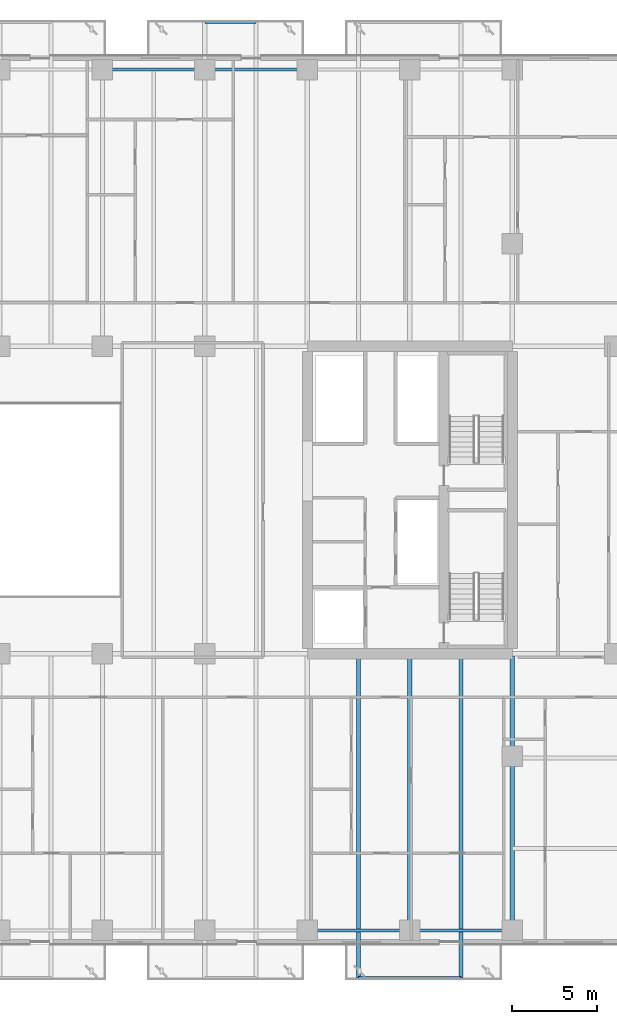
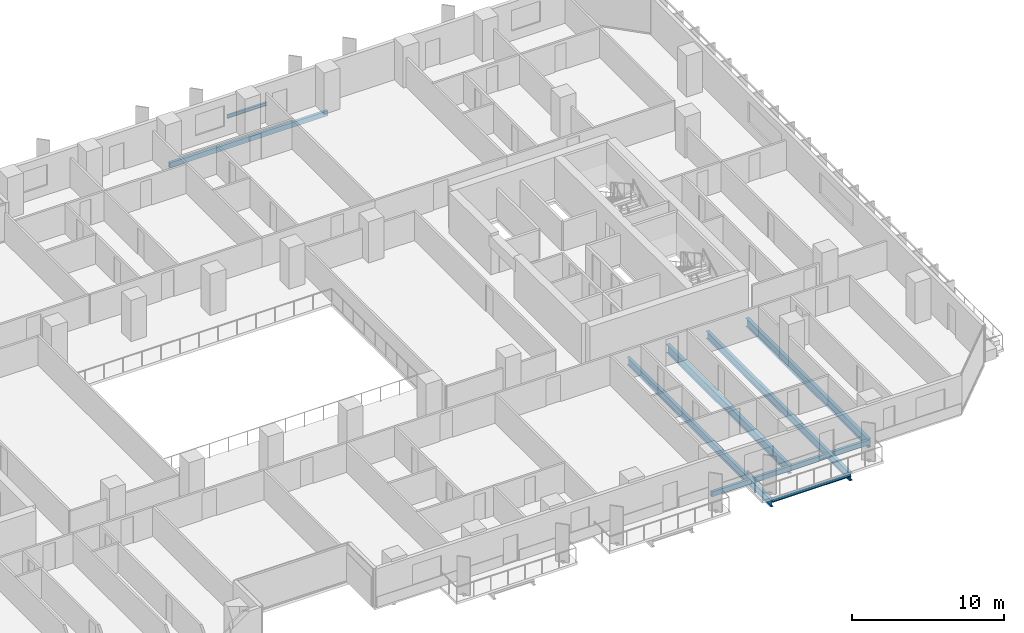
# One storey, part 12 of 33: 10 beams.
"""IFC4 building model written with IfcOpenShell, lengths in metres."""

from ifc_helpers import new_model, si_unit, direction, frame, origin, origin_2d, place, context, subcontext, project, spatial, hollow_rectangle, i_section, extrude, material, material_profile, profile_set, type_object, element, save


model = new_model("IFC4")

# Units and contexts
model_context = context("Model", 3, precision=1e-05, world=origin(), true_north=direction((0.0, 1.0)))
body_context = subcontext(model_context, "Body", "Model", "MODEL_VIEW")
ifc_project = project(units=[si_unit("LENGTHUNIT", "METRE"), si_unit("AREAUNIT", "SQUARE_METRE"), si_unit("VOLUMEUNIT", "CUBIC_METRE"), si_unit("PLANEANGLEUNIT", "RADIAN"), si_unit("MASSUNIT", "GRAM", prefix="KILO")], contexts=[model_context])

# Site, building, storey
site_placement = place(None, origin())
site = spatial("IfcSite", under=ifc_project, at=site_placement, CompositionType="ELEMENT")
building_placement = place(site_placement, origin())
building = spatial("IfcBuilding", under=site, at=building_placement, Name="Tanjung Sevakor Pilgrim Tower", CompositionType="ELEMENT")
storey_placement = place(building_placement, frame((0.0, 0.0, 35.639892578125)))
storey = spatial("IfcBuildingStorey", under=building, at=storey_placement, Name="L09", CompositionType="ELEMENT", Elevation=35.639892578125)

# Beams
ifc_material_1 = material(Name="Steel S355J2", Category="steel")
ifc_material_profile_1 = material_profile(ifc_material_1, i_section(OverallWidth=0.25439453125, OverallDepth=0.6875, WebThickness=0.01318359375, FlangeThickness=0.02099609375, FilletRadius=0.01513671875, at=origin_2d()))
ifc_profile_set_1 = profile_set([ifc_material_profile_1], Name="Steel S355J2")
beam_type_1 = type_object("IfcBeamType", Name="BM-B-G2-UB_686x254x152", PredefinedType="BEAM", material=ifc_profile_set_1)
for number, where, z_axis, x_axis, name in (
    (1, (84.0, 8.39990234375, -0.5634765625), (0.0, 1.0, 0.0), (-1.0, 0.0, 0.0), "L09 MAIN Girder 026"),
    (2, (90.0, 8.39990234375, -0.5634765625), (0.0, 1.0, 0.0), (-1.0, 0.0, 0.0), "L09 MAIN Girder 028"),
):
    element("IfcBeam", number, at=place(storey_placement, frame(where, z_axis=z_axis, x_axis=x_axis)), inside=storey, type_object=beam_type_1, Name=name, PredefinedType="BEAM", context=body_context, shape_type="SweptSolid", body=[
        extrude(i_section(OverallWidth=0.25439453125, OverallDepth=0.6875, WebThickness=0.01318359375, FlangeThickness=0.02099609375, FilletRadius=0.01513671875, at=origin_2d()), origin(), (0.0, 0.0, 1.0), 16.066162109375),
    ])
ifc_material_2 = material(Name="Steel S355J2", Category="steel")
ifc_material_profile_2 = material_profile(ifc_material_2, i_section(OverallWidth=0.22900390625, OverallDepth=0.6123046875, WebThickness=0.011962890625, FlangeThickness=0.01953125, FilletRadius=0.0126953125, at=origin_2d()))
ifc_profile_set_2 = profile_set([ifc_material_profile_2], Name="Steel S355J2")
beam_type_2 = type_object("IfcBeamType", Name="BM-B-G4-UB_610x229x125", PredefinedType="BEAM", material=ifc_profile_set_2)
for number, where, z_axis, x_axis, name in (
    (3, (81.0, 24.466064453125, -0.52587890625), (0.0, -1.0, 0.0), (1.0, 0.0, 0.0), "L09 Balcony Cantilever Beam MAIN-S4-1"),
    (4, (87.0, 24.466064453125, -0.52587890625), (0.0, -1.0, 0.0), (1.0, 0.0, 0.0), "L09 Balcony Cantilever Beam MAIN-S4-2"),
):
    element("IfcBeam", number, at=place(storey_placement, frame(where, z_axis=z_axis, x_axis=x_axis)), inside=storey, type_object=beam_type_2, Name=name, PredefinedType="BEAM", context=body_context, shape_type="SweptSolid", body=[
        extrude(i_section(OverallWidth=0.22900390625, OverallDepth=0.6123046875, WebThickness=0.011962890625, FlangeThickness=0.01953125, FilletRadius=0.0126953125, at=origin_2d()), origin(), (0.0, 0.0, 1.0), 18.845947265625),
    ])
ifc_material_3 = material(Name="Steel S355J2", Category="steel")
ifc_material_profile_3 = material_profile(ifc_material_3, i_section(OverallWidth=0.146484375, OverallDepth=0.256103515625, WebThickness=0.00634765625, FlangeThickness=0.010986328125, FilletRadius=0.007568359375, at=origin_2d()))
ifc_profile_set_3 = profile_set([ifc_material_profile_3], Name="Steel S355J2")
beam_type_3 = type_object("IfcBeamType", Name="BM-B-J6-UB_254x146x37", PredefinedType="JOIST", material=ifc_profile_set_3)
beam_1_placement = place(storey_placement, frame((72.0, 61.580078125, -0.327880859375), z_axis=(1.0, 0.0, 0.0), x_axis=(0.0, 1.0, 0.0)))
element("IfcBeam", 5, at=beam_1_placement, inside=storey, type_object=beam_type_3, Name="L09 Balcony Rim Tie MAIN-N3", PredefinedType="JOIST", context=body_context, shape_type="SweptSolid", body=[
    extrude(i_section(OverallWidth=0.146484375, OverallDepth=0.256103515625, WebThickness=0.00634765625, FlangeThickness=0.010986328125, FilletRadius=0.007568359375, at=origin_2d()), origin(), (0.0, 0.0, 1.0), 3.0),
])
beam_2_placement = place(storey_placement, frame((81.0, 5.6201171875, -0.327880859375), z_axis=(1.0, 0.0, 0.0), x_axis=(0.0, 1.0, 0.0)))
element("IfcBeam", 6, at=beam_2_placement, inside=storey, type_object=beam_type_3, Name="L09 Balcony Rim Tie MAIN-S4", PredefinedType="JOIST", context=body_context, shape_type="SweptSolid", body=[
    extrude(i_section(OverallWidth=0.146484375, OverallDepth=0.256103515625, WebThickness=0.00634765625, FlangeThickness=0.010986328125, FilletRadius=0.007568359375, at=origin_2d()), origin(), (0.0, 0.0, 1.0), 6.0),
])
ifc_material_4 = material(Name="Steel S355J2", Category="steel")
ifc_material_profile_4 = material_profile(ifc_material_4, hollow_rectangle(XDim=0.199951171875, YDim=0.39990234375, WallThickness=0.01611328125, at=origin_2d()))
ifc_profile_set_4 = profile_set([ifc_material_profile_4], Name="Steel S355J2")
beam_type_4 = type_object("IfcBeamType", Name="BM-B-SP2-RHS_400x200x16", PredefinedType="SPANDREL", material=ifc_profile_set_4)
for number, where, z_axis, x_axis, name in (
    (7, (66.0, 58.800048828125, -0.419921875), (1.0, 0.0, 0.0), (0.0, 1.0, 0.0), "L09 Spandrel MAIN N-12"),
    (8, (72.0, 58.800048828125, -0.419921875), (1.0, 0.0, 0.0), (0.0, 1.0, 0.0), "L09 Spandrel MAIN N-14"),
    (9, (78.0, 8.39990234375, -0.419921875), (1.0, 0.0, 0.0), (0.0, 1.0, 0.0), "L09 Spandrel MAIN S-15"),
    (10, (84.0, 8.39990234375, -0.419921875), (1.0, 0.0, 0.0), (0.0, 1.0, 0.0), "L09 Spandrel MAIN S-17"),
):
    element("IfcBeam", number, at=place(storey_placement, frame(where, z_axis=z_axis, x_axis=x_axis)), inside=storey, type_object=beam_type_4, Name=name, PredefinedType="SPANDREL", context=body_context, shape_type="SweptSolid", body=[
        extrude(hollow_rectangle(XDim=0.199951171875, YDim=0.39990234375, WallThickness=0.01611328125, at=origin_2d()), origin(), (0.0, 0.0, 1.0), 6.0),
    ])

save(model, "model.ifc")
